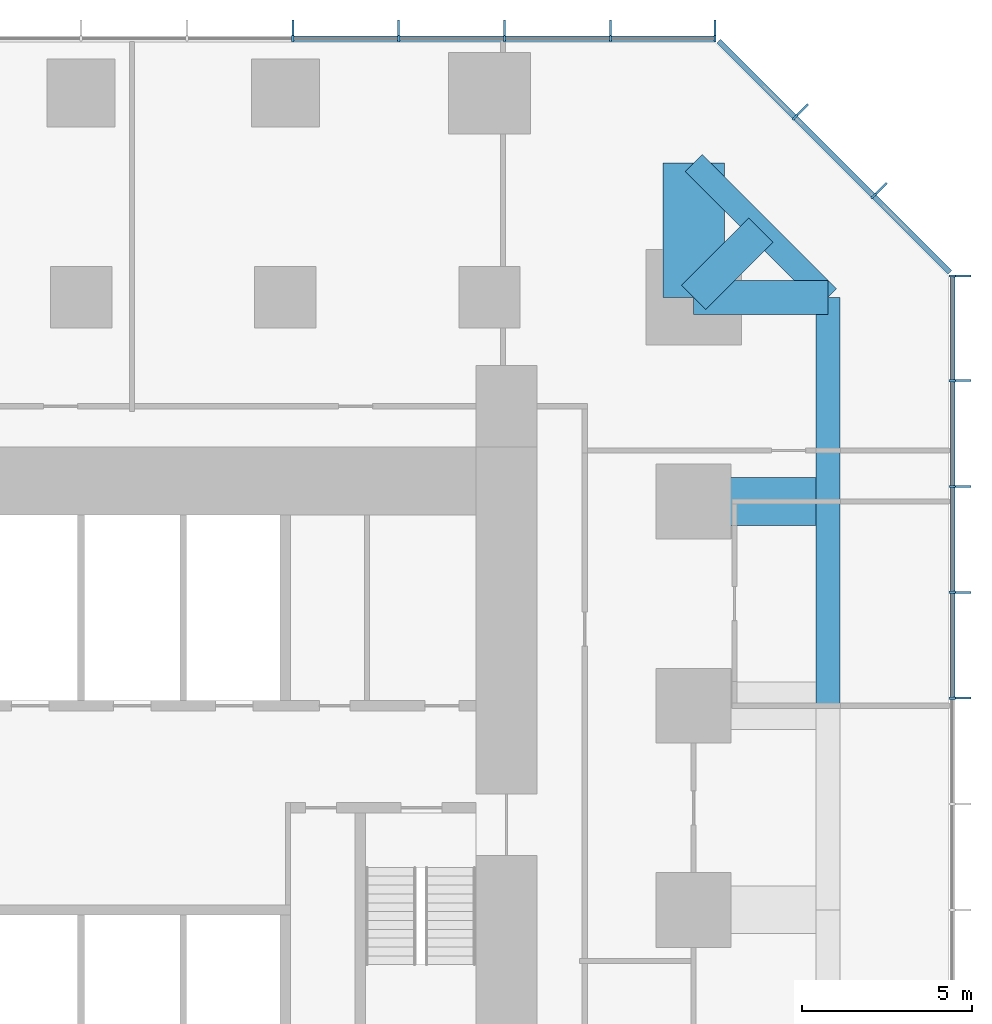
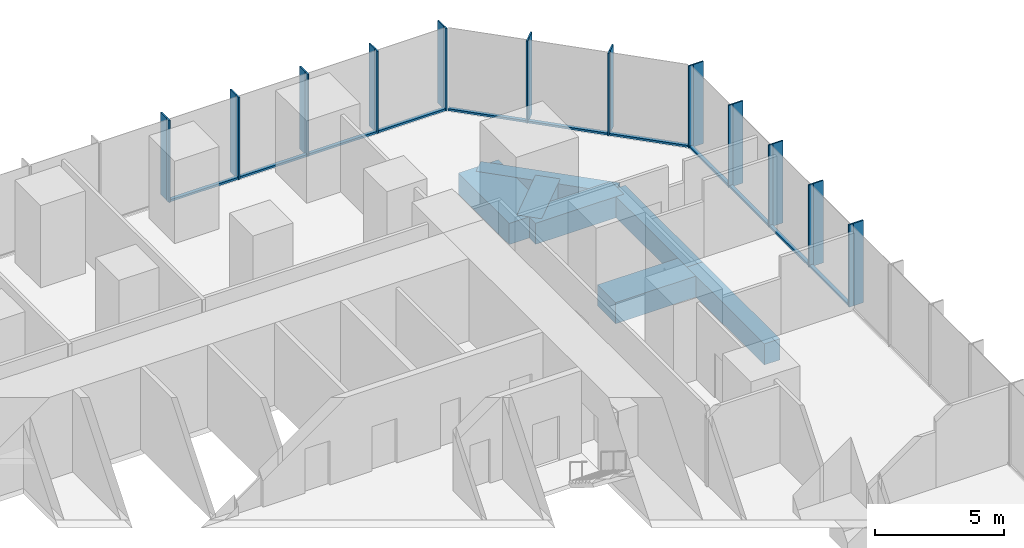
# One storey, part 6 of 12: 35 members, 7 beams, 3 elements without a shape of their own.
"""IFC4 building model written with IfcOpenShell, lengths in metres."""

from ifc_helpers import new_model, si_unit, direction, frame, origin, origin_2d, place, context, subcontext, project, spatial, rectangle, extrude, material, layer, layer_set, material_profile, profile_set, type_object, element, aggregate, save


model = new_model("IFC4")

# Units and contexts
model_context = context("Model", 3, precision=1e-05, world=origin(), true_north=direction((0.0, 1.0)))
body_context = subcontext(model_context, "Body", "Model", "MODEL_VIEW")
ifc_project = project(units=[si_unit("LENGTHUNIT", "METRE"), si_unit("AREAUNIT", "SQUARE_METRE"), si_unit("VOLUMEUNIT", "CUBIC_METRE"), si_unit("PLANEANGLEUNIT", "RADIAN"), si_unit("MASSUNIT", "GRAM", prefix="KILO")], contexts=[model_context])

# Site, building, storey
site_placement = place(None, origin())
site = spatial("IfcSite", under=ifc_project, at=site_placement, CompositionType="ELEMENT")
building_placement = place(site_placement, origin())
building = spatial("IfcBuilding", under=site, at=building_placement, Name="Highveld Stack Headquarters", CompositionType="ELEMENT")
storey_placement = place(building_placement, frame((0.0, 0.0, 49.39990234375)))
storey = spatial("IfcBuildingStorey", under=building, at=storey_placement, Name="L11", CompositionType="ELEMENT", Elevation=49.39990234375)

# Beams
ifc_material_1 = material(Name="Concrete C60/75", Category="concrete")
ifc_material_profile_1 = material_profile(ifc_material_1, rectangle(XDim=1.0, YDim=1.0, at=origin_2d()), Name="RC 1000x1000")
ifc_profile_set_1 = profile_set([ifc_material_profile_1], Name="Concrete C60/75")
beam_type_1 = type_object("IfcBeamType", Name="CANTILEVER RIB RC 1000x1000", PredefinedType="USERDEFINED", material=ifc_profile_set_1)
beam_1_placement = place(storey_placement, frame((24.0, 18.0, -0.75), z_axis=(1.0, 0.0, 0.0), x_axis=(0.0, 1.0, 0.0)))
element("IfcBeam", 1, at=beam_1_placement, inside=storey, type_object=beam_type_1, Name="Cantilever rib 10/H L11", ObjectType="CANTILEVER RIB", PredefinedType="USERDEFINED", context=body_context, shape_type="SweptSolid", body=[
    extrude(rectangle(XDim=1.0, YDim=1.0, at=origin_2d()), origin(), (0.0, 0.0, 1.0), 3.949951171875),
])
beam_2_placement = place(storey_placement, frame((24.0, 18.0, -0.75), z_axis=(0.707106781187, 0.707106781187, 0.0), x_axis=(-0.707106781187, 0.707106781187, 0.0)))
element("IfcBeam", 2, at=beam_2_placement, inside=storey, type_object=beam_type_1, Name="Cantilever rib 10/H L11", ObjectType="CANTILEVER RIB", PredefinedType="USERDEFINED", context=body_context, shape_type="SweptSolid", body=[
    extrude(rectangle(XDim=1.0, YDim=1.0, at=origin_2d()), origin(), (0.0, 0.0, 1.0), 2.793212890625),
])
ifc_material_2 = material(Name="Concrete C60/75", Category="concrete")
ifc_material_profile_2 = material_profile(ifc_material_2, rectangle(XDim=1.39990234375, YDim=1.0, at=origin_2d()), Name="RC 1400x1000")
ifc_profile_set_2 = profile_set([ifc_material_profile_2], Name="Concrete C60/75")
beam_type_2 = type_object("IfcBeamType", Name="CANTILEVER RIB RC 1400x1000", PredefinedType="USERDEFINED", material=ifc_profile_set_2)
beam_3_placement = place(storey_placement, frame((24.0, 12.0, -0.75), z_axis=(1.0, 0.0, 0.0), x_axis=(0.0, 1.0, 0.0)))
element("IfcBeam", 3, at=beam_3_placement, inside=storey, type_object=beam_type_2, Name="Cantilever rib 10/G L11", ObjectType="CANTILEVER RIB", PredefinedType="USERDEFINED", context=body_context, shape_type="SweptSolid", body=[
    extrude(rectangle(XDim=1.39990234375, YDim=1.0, at=origin_2d()), origin(), (0.0, 0.0, 1.0), 3.949951171875),
])
ifc_material_3 = material(Name="Concrete C60/75", Category="concrete")
ifc_material_profile_3 = material_profile(ifc_material_3, rectangle(XDim=1.800048828125, YDim=1.0, at=origin_2d()), Name="RC 1800x1000")
ifc_profile_set_3 = profile_set([ifc_material_profile_3], Name="Concrete C60/75")
beam_type_3 = type_object("IfcBeamType", Name="CANTILEVER RIB RC 1800x1000", PredefinedType="USERDEFINED", material=ifc_profile_set_3)
beam_4_placement = place(storey_placement, frame((24.0, 18.0, -0.75), z_axis=(0.0, 1.0, 0.0), x_axis=(-1.0, 0.0, 0.0)))
element("IfcBeam", 4, at=beam_4_placement, inside=storey, type_object=beam_type_3, Name="Cantilever rib 10/H L11", ObjectType="CANTILEVER RIB", PredefinedType="USERDEFINED", context=body_context, shape_type="SweptSolid", body=[
    extrude(rectangle(XDim=1.800048828125, YDim=1.0, at=origin_2d()), origin(), (0.0, 0.0, 1.0), 3.949951171875),
])

# Curtain wall, members
ifc_material_4 = material(Name="Aluminium bronze anodised", Category="aluminium")
ifc_layer_1 = layer(ifc_material_4, 0.199951171875)
ifc_layer_set_1 = layer_set([ifc_layer_1], Name="Aluminium bronze anodised")
curtain_wall_type_1 = type_object("IfcCurtainWallType", Name="CW1 TOWER UNITISED CURTAIN WALL", PredefinedType="NOTDEFINED", material=ifc_layer_set_1)
curtain_wall_1_placement = place(storey_placement, origin())
curtain_wall_1 = element("IfcCurtainWall", 5, at=curtain_wall_1_placement, inside=storey, type_object=curtain_wall_type_1, Name="Curtain wall CW1 L11 E", PredefinedType="NOTDEFINED")
ifc_material_5 = material(Name="Aluminium bronze anodised", Category="aluminium")
ifc_material_profile_4 = material_profile(ifc_material_5, rectangle(XDim=0.449951171875, YDim=0.06005859375, at=origin_2d()), Name="FIN 450x60")
ifc_profile_set_4 = profile_set([ifc_material_profile_4], Name="Aluminium bronze anodised")
member_type_1 = type_object("IfcMemberType", Name="CW1 BRONZE FIN 450x60", PredefinedType="USERDEFINED", material=ifc_profile_set_4)
member_1_placement = place(storey_placement, frame((31.925048828125, 6.220947265625, 0.0), z_axis=(0.0, 0.0, 1.0), x_axis=(-1.0, 0.0, 0.0)))
member_1 = element("IfcMember", 6, at=member_1_placement, type_object=member_type_1, Name="CW1 fin L11 9", ObjectType="FIN", PredefinedType="USERDEFINED", context=body_context, shape_type="SweptSolid", body=[
    extrude(rectangle(XDim=0.449951171875, YDim=0.06005859375, at=origin_2d()), origin(), (0.0, 0.0, 1.0), 3.900146484375),
])
member_2_placement = place(storey_placement, frame((31.925048828125, 9.331298828125, 0.0), z_axis=(0.0, 0.0, 1.0), x_axis=(-1.0, 0.0, 0.0)))
member_2 = element("IfcMember", 7, at=member_2_placement, type_object=member_type_1, Name="CW1 fin L11 10", ObjectType="FIN", PredefinedType="USERDEFINED", context=body_context, shape_type="SweptSolid", body=[
    extrude(rectangle(XDim=0.449951171875, YDim=0.06005859375, at=origin_2d()), origin(), (0.0, 0.0, 1.0), 3.900146484375),
])
member_3_placement = place(storey_placement, frame((31.925048828125, 12.44189453125, 0.0), z_axis=(0.0, 0.0, 1.0), x_axis=(-1.0, 0.0, 0.0)))
member_3 = element("IfcMember", 8, at=member_3_placement, type_object=member_type_1, Name="CW1 fin L11 11", ObjectType="FIN", PredefinedType="USERDEFINED", context=body_context, shape_type="SweptSolid", body=[
    extrude(rectangle(XDim=0.449951171875, YDim=0.06005859375, at=origin_2d()), origin(), (0.0, 0.0, 1.0), 3.900146484375),
])
member_4_placement = place(storey_placement, frame((31.925048828125, 15.55224609375, 0.0), z_axis=(0.0, 0.0, 1.0), x_axis=(-1.0, 0.0, 0.0)))
member_4 = element("IfcMember", 9, at=member_4_placement, type_object=member_type_1, Name="CW1 fin L11 12", ObjectType="FIN", PredefinedType="USERDEFINED", context=body_context, shape_type="SweptSolid", body=[
    extrude(rectangle(XDim=0.449951171875, YDim=0.06005859375, at=origin_2d()), origin(), (0.0, 0.0, 1.0), 3.900146484375),
])
member_5_placement = place(storey_placement, frame((31.925048828125, 18.630126953125, 0.0), z_axis=(0.0, 0.0, 1.0), x_axis=(-1.0, 0.0, 0.0)))
member_5 = element("IfcMember", 10, at=member_5_placement, type_object=member_type_1, Name="CW1 fin L11 13", ObjectType="FIN", PredefinedType="USERDEFINED", context=body_context, shape_type="SweptSolid", body=[
    extrude(rectangle(XDim=0.449951171875, YDim=0.06005859375, at=origin_2d()), origin(), (0.0, 0.0, 1.0), 3.900146484375),
])

curtain_wall_2_placement = place(storey_placement, origin())
curtain_wall_2 = element("IfcCurtainWall", 11, at=curtain_wall_2_placement, inside=storey, type_object=curtain_wall_type_1, Name="Curtain wall CW1 L11 N", PredefinedType="NOTDEFINED")
member_6_placement = place(storey_placement, frame((24.630126953125, 25.925048828125, 0.0), z_axis=(0.0, 0.0, 1.0), x_axis=(0.0, -1.0, 0.0)))
member_6 = element("IfcMember", 12, at=member_6_placement, type_object=member_type_1, Name="CW1 fin L11 1", ObjectType="FIN", PredefinedType="USERDEFINED", context=body_context, shape_type="SweptSolid", body=[
    extrude(rectangle(XDim=0.449951171875, YDim=0.06005859375, at=origin_2d()), origin(), (0.0, 0.0, 1.0), 3.900146484375),
])
member_7_placement = place(storey_placement, frame((21.55224609375, 25.925048828125, 0.0), z_axis=(0.0, 0.0, 1.0), x_axis=(0.0, -1.0, 0.0)))
member_7 = element("IfcMember", 13, at=member_7_placement, type_object=member_type_1, Name="CW1 fin L11 2", ObjectType="FIN", PredefinedType="USERDEFINED", context=body_context, shape_type="SweptSolid", body=[
    extrude(rectangle(XDim=0.449951171875, YDim=0.06005859375, at=origin_2d()), origin(), (0.0, 0.0, 1.0), 3.900146484375),
])
member_8_placement = place(storey_placement, frame((18.44189453125, 25.925048828125, 0.0), z_axis=(0.0, 0.0, 1.0), x_axis=(0.0, -1.0, 0.0)))
member_8 = element("IfcMember", 14, at=member_8_placement, type_object=member_type_1, Name="CW1 fin L11 3", ObjectType="FIN", PredefinedType="USERDEFINED", context=body_context, shape_type="SweptSolid", body=[
    extrude(rectangle(XDim=0.449951171875, YDim=0.06005859375, at=origin_2d()), origin(), (0.0, 0.0, 1.0), 3.900146484375),
])
member_9_placement = place(storey_placement, frame((15.331298828125, 25.925048828125, 0.0), z_axis=(0.0, 0.0, 1.0), x_axis=(0.0, -1.0, 0.0)))
member_9 = element("IfcMember", 15, at=member_9_placement, type_object=member_type_1, Name="CW1 fin L11 4", ObjectType="FIN", PredefinedType="USERDEFINED", context=body_context, shape_type="SweptSolid", body=[
    extrude(rectangle(XDim=0.449951171875, YDim=0.06005859375, at=origin_2d()), origin(), (0.0, 0.0, 1.0), 3.900146484375),
])
member_10_placement = place(storey_placement, frame((12.220947265625, 25.925048828125, 0.0), z_axis=(0.0, 0.0, 1.0), x_axis=(0.0, -1.0, 0.0)))
member_10 = element("IfcMember", 16, at=member_10_placement, type_object=member_type_1, Name="CW1 fin L11 5", ObjectType="FIN", PredefinedType="USERDEFINED", context=body_context, shape_type="SweptSolid", body=[
    extrude(rectangle(XDim=0.449951171875, YDim=0.06005859375, at=origin_2d()), origin(), (0.0, 0.0, 1.0), 3.900146484375),
])

# Member
ifc_material_6 = material(Name="Aluminium bronze anodised", Category="aluminium")
ifc_material_profile_5 = material_profile(ifc_material_6, rectangle(XDim=0.199951171875, YDim=0.06494140625, at=origin_2d()), Name="CW1 MULLION 65x200")
ifc_profile_set_5 = profile_set([ifc_material_profile_5], Name="Aluminium bronze anodised")
member_type_2 = type_object("IfcMemberType", Name="CW1 MULLION 65x200", PredefinedType="MULLION", material=ifc_profile_set_5)
member_11_placement = place(storey_placement, frame((31.60009765625, 6.220947265625, 0.0), z_axis=(0.0, 0.0, 1.0), x_axis=(-1.0, 0.0, 0.0)))
member_11 = element("IfcMember", 17, at=member_11_placement, type_object=member_type_2, Name="CW1 mullion L11 9", PredefinedType="MULLION", context=body_context, shape_type="SweptSolid", body=[
    extrude(rectangle(XDim=0.199951171875, YDim=0.06494140625, at=origin_2d()), origin(), (0.0, 0.0, 1.0), 3.900146484375),
])

member_12_placement = place(storey_placement, frame((31.60009765625, 9.331298828125, 0.0), z_axis=(0.0, 0.0, 1.0), x_axis=(-1.0, 0.0, 0.0)))
member_12 = element("IfcMember", 18, at=member_12_placement, type_object=member_type_2, Name="CW1 mullion L11 10", PredefinedType="MULLION", context=body_context, shape_type="SweptSolid", body=[
    extrude(rectangle(XDim=0.199951171875, YDim=0.06494140625, at=origin_2d()), origin(), (0.0, 0.0, 1.0), 3.900146484375),
])

member_13_placement = place(storey_placement, frame((31.60009765625, 12.44189453125, 0.0), z_axis=(0.0, 0.0, 1.0), x_axis=(-1.0, 0.0, 0.0)))
member_13 = element("IfcMember", 19, at=member_13_placement, type_object=member_type_2, Name="CW1 mullion L11 11", PredefinedType="MULLION", context=body_context, shape_type="SweptSolid", body=[
    extrude(rectangle(XDim=0.199951171875, YDim=0.06494140625, at=origin_2d()), origin(), (0.0, 0.0, 1.0), 3.900146484375),
])

member_14_placement = place(storey_placement, frame((31.60009765625, 15.55224609375, 0.0), z_axis=(0.0, 0.0, 1.0), x_axis=(-1.0, 0.0, 0.0)))
member_14 = element("IfcMember", 20, at=member_14_placement, type_object=member_type_2, Name="CW1 mullion L11 12", PredefinedType="MULLION", context=body_context, shape_type="SweptSolid", body=[
    extrude(rectangle(XDim=0.199951171875, YDim=0.06494140625, at=origin_2d()), origin(), (0.0, 0.0, 1.0), 3.900146484375),
])

member_15_placement = place(storey_placement, frame((31.60009765625, 18.630126953125, 0.0), z_axis=(0.0, 0.0, 1.0), x_axis=(-1.0, 0.0, 0.0)))
member_15 = element("IfcMember", 21, at=member_15_placement, type_object=member_type_2, Name="CW1 mullion L11 13", PredefinedType="MULLION", context=body_context, shape_type="SweptSolid", body=[
    extrude(rectangle(XDim=0.199951171875, YDim=0.06494140625, at=origin_2d()), origin(), (0.0, 0.0, 1.0), 3.900146484375),
])

member_16_placement = place(storey_placement, frame((24.630126953125, 25.60009765625, 0.0), z_axis=(0.0, 0.0, 1.0), x_axis=(0.0, -1.0, 0.0)))
member_16 = element("IfcMember", 22, at=member_16_placement, type_object=member_type_2, Name="CW1 mullion L11 1", PredefinedType="MULLION", context=body_context, shape_type="SweptSolid", body=[
    extrude(rectangle(XDim=0.199951171875, YDim=0.06494140625, at=origin_2d()), origin(), (0.0, 0.0, 1.0), 3.900146484375),
])

member_17_placement = place(storey_placement, frame((21.55224609375, 25.60009765625, 0.0), z_axis=(0.0, 0.0, 1.0), x_axis=(0.0, -1.0, 0.0)))
member_17 = element("IfcMember", 23, at=member_17_placement, type_object=member_type_2, Name="CW1 mullion L11 2", PredefinedType="MULLION", context=body_context, shape_type="SweptSolid", body=[
    extrude(rectangle(XDim=0.199951171875, YDim=0.06494140625, at=origin_2d()), origin(), (0.0, 0.0, 1.0), 3.900146484375),
])

member_18_placement = place(storey_placement, frame((18.44189453125, 25.60009765625, 0.0), z_axis=(0.0, 0.0, 1.0), x_axis=(0.0, -1.0, 0.0)))
member_18 = element("IfcMember", 24, at=member_18_placement, type_object=member_type_2, Name="CW1 mullion L11 3", PredefinedType="MULLION", context=body_context, shape_type="SweptSolid", body=[
    extrude(rectangle(XDim=0.199951171875, YDim=0.06494140625, at=origin_2d()), origin(), (0.0, 0.0, 1.0), 3.900146484375),
])

member_19_placement = place(storey_placement, frame((15.331298828125, 25.60009765625, 0.0), z_axis=(0.0, 0.0, 1.0), x_axis=(0.0, -1.0, 0.0)))
member_19 = element("IfcMember", 25, at=member_19_placement, type_object=member_type_2, Name="CW1 mullion L11 4", PredefinedType="MULLION", context=body_context, shape_type="SweptSolid", body=[
    extrude(rectangle(XDim=0.199951171875, YDim=0.06494140625, at=origin_2d()), origin(), (0.0, 0.0, 1.0), 3.900146484375),
])

member_20_placement = place(storey_placement, frame((12.220947265625, 25.60009765625, 0.0), z_axis=(0.0, 0.0, 1.0), x_axis=(0.0, -1.0, 0.0)))
member_20 = element("IfcMember", 26, at=member_20_placement, type_object=member_type_2, Name="CW1 mullion L11 5", PredefinedType="MULLION", context=body_context, shape_type="SweptSolid", body=[
    extrude(rectangle(XDim=0.199951171875, YDim=0.06494140625, at=origin_2d()), origin(), (0.0, 0.0, 1.0), 3.900146484375),
])

ifc_material_7 = material(Name="Aluminium bronze anodised", Category="aluminium")
ifc_material_profile_6 = material_profile(ifc_material_7, rectangle(XDim=0.14990234375, YDim=0.10009765625, at=origin_2d()), Name="CW1 TRANSOM 150x100")
ifc_profile_set_6 = profile_set([ifc_material_profile_6], Name="Aluminium bronze anodised")
member_type_3 = type_object("IfcMemberType", Name="CW1 STACK TRANSOM 150x100", PredefinedType="USERDEFINED", material=ifc_profile_set_6)
member_21_placement = place(storey_placement, frame((31.60009765625, 6.25341796875, 0.050048828125), z_axis=(0.0, 1.0, 0.0), x_axis=(-1.0, 0.0, 0.0)))
member_21 = element("IfcMember", 27, at=member_21_placement, type_object=member_type_3, Name="CW1 transom L11 9.1", ObjectType="TRANSOM", PredefinedType="USERDEFINED", context=body_context, shape_type="SweptSolid", body=[
    extrude(rectangle(XDim=0.14990234375, YDim=0.10009765625, at=origin_2d()), origin(), (0.0, 0.0, 1.0), 3.04541015625),
])

member_22_placement = place(storey_placement, frame((31.60009765625, 9.36376953125, 0.050048828125), z_axis=(0.0, 1.0, 0.0), x_axis=(-1.0, 0.0, 0.0)))
member_22 = element("IfcMember", 28, at=member_22_placement, type_object=member_type_3, Name="CW1 transom L11 10.1", ObjectType="TRANSOM", PredefinedType="USERDEFINED", context=body_context, shape_type="SweptSolid", body=[
    extrude(rectangle(XDim=0.14990234375, YDim=0.10009765625, at=origin_2d()), origin(), (0.0, 0.0, 1.0), 3.04541015625),
])

member_23_placement = place(storey_placement, frame((31.60009765625, 12.474365234375, 0.050048828125), z_axis=(0.0, 1.0, 0.0), x_axis=(-1.0, 0.0, 0.0)))
member_23 = element("IfcMember", 29, at=member_23_placement, type_object=member_type_3, Name="CW1 transom L11 11.1", ObjectType="TRANSOM", PredefinedType="USERDEFINED", context=body_context, shape_type="SweptSolid", body=[
    extrude(rectangle(XDim=0.14990234375, YDim=0.10009765625, at=origin_2d()), origin(), (0.0, 0.0, 1.0), 3.04541015625),
])

member_24_placement = place(storey_placement, frame((31.60009765625, 15.584716796875, 0.050048828125), z_axis=(0.0, 1.0, 0.0), x_axis=(-1.0, 0.0, 0.0)))
member_24 = element("IfcMember", 30, at=member_24_placement, type_object=member_type_3, Name="CW1 transom L11 12.1", ObjectType="TRANSOM", PredefinedType="USERDEFINED", context=body_context, shape_type="SweptSolid", body=[
    extrude(rectangle(XDim=0.14990234375, YDim=0.10009765625, at=origin_2d()), origin(), (0.0, 0.0, 1.0), 3.012939453125),
])

aggregate(curtain_wall_1, [member_11, member_1, member_12, member_2, member_13, member_3, member_14, member_4, member_15, member_5, member_21, member_22, member_23, member_24])

member_25_placement = place(storey_placement, frame((24.59765625, 25.60009765625, 0.050048828125), z_axis=(-1.0, 0.0, 0.0), x_axis=(0.0, -1.0, 0.0)))
member_25 = element("IfcMember", 31, at=member_25_placement, type_object=member_type_3, Name="CW1 transom L11 1.1", ObjectType="TRANSOM", PredefinedType="USERDEFINED", context=body_context, shape_type="SweptSolid", body=[
    extrude(rectangle(XDim=0.14990234375, YDim=0.10009765625, at=origin_2d()), origin(), (0.0, 0.0, 1.0), 3.012939453125),
])

member_26_placement = place(storey_placement, frame((21.519775390625, 25.60009765625, 0.050048828125), z_axis=(-1.0, 0.0, 0.0), x_axis=(0.0, -1.0, 0.0)))
member_26 = element("IfcMember", 32, at=member_26_placement, type_object=member_type_3, Name="CW1 transom L11 2.1", ObjectType="TRANSOM", PredefinedType="USERDEFINED", context=body_context, shape_type="SweptSolid", body=[
    extrude(rectangle(XDim=0.14990234375, YDim=0.10009765625, at=origin_2d()), origin(), (0.0, 0.0, 1.0), 3.04541015625),
])

member_27_placement = place(storey_placement, frame((18.4091796875, 25.60009765625, 0.050048828125), z_axis=(-1.0, 0.0, 0.0), x_axis=(0.0, -1.0, 0.0)))
member_27 = element("IfcMember", 33, at=member_27_placement, type_object=member_type_3, Name="CW1 transom L11 3.1", ObjectType="TRANSOM", PredefinedType="USERDEFINED", context=body_context, shape_type="SweptSolid", body=[
    extrude(rectangle(XDim=0.14990234375, YDim=0.10009765625, at=origin_2d()), origin(), (0.0, 0.0, 1.0), 3.045166015625),
])

member_28_placement = place(storey_placement, frame((15.298828125, 25.60009765625, 0.050048828125), z_axis=(-1.0, 0.0, 0.0), x_axis=(0.0, -1.0, 0.0)))
member_28 = element("IfcMember", 34, at=member_28_placement, type_object=member_type_3, Name="CW1 transom L11 4.1", ObjectType="TRANSOM", PredefinedType="USERDEFINED", context=body_context, shape_type="SweptSolid", body=[
    extrude(rectangle(XDim=0.14990234375, YDim=0.10009765625, at=origin_2d()), origin(), (0.0, 0.0, 1.0), 3.04541015625),
])

aggregate(curtain_wall_2, [member_16, member_6, member_17, member_7, member_18, member_8, member_19, member_9, member_20, member_10, member_25, member_26, member_27, member_28])

# Curtain wall, members
ifc_material_8 = material(Name="Aluminium bronze anodised", Category="aluminium")
ifc_layer_2 = layer(ifc_material_8, 0.199951171875)
ifc_layer_set_2 = layer_set([ifc_layer_2], Name="Aluminium bronze anodised")
curtain_wall_type_2 = type_object("IfcCurtainWallType", Name="CW2 TOWER CHAMFER UNITISED CURTAIN WALL", PredefinedType="NOTDEFINED", material=ifc_layer_set_2)
curtain_wall_3_placement = place(storey_placement, origin())
curtain_wall_3 = element("IfcCurtainWall", 35, at=curtain_wall_3_placement, inside=storey, type_object=curtain_wall_type_2, Name="Curtain wall CW2 L11 NE", PredefinedType="NOTDEFINED")
ifc_material_9 = material(Name="Aluminium bronze anodised", Category="aluminium")
ifc_material_profile_7 = material_profile(ifc_material_9, rectangle(XDim=0.449951171875, YDim=0.06005859375, at=origin_2d()), Name="FIN 450x60")
ifc_profile_set_7 = profile_set([ifc_material_profile_7], Name="Aluminium bronze anodised")
member_type_4 = type_object("IfcMemberType", Name="CW2 BRONZE FIN 450x60", PredefinedType="USERDEFINED", material=ifc_profile_set_7)
member_29_placement = place(storey_placement, frame((29.517333984375, 21.204833984375, 0.0), z_axis=(0.0, 0.0, 1.0), x_axis=(-0.707106781187, -0.707106781187, 0.0)))
member_29 = element("IfcMember", 36, at=member_29_placement, type_object=member_type_4, Name="CW2 fin L11 1", ObjectType="FIN", PredefinedType="USERDEFINED", context=body_context, shape_type="SweptSolid", body=[
    extrude(rectangle(XDim=0.449951171875, YDim=0.06005859375, at=origin_2d()), origin(), (0.0, 0.0, 1.0), 3.900146484375),
])
member_30_placement = place(storey_placement, frame((27.204833984375, 23.517333984375, 0.0), z_axis=(0.0, 0.0, 1.0), x_axis=(-0.707106781187, -0.707106781187, 0.0)))
member_30 = element("IfcMember", 37, at=member_30_placement, type_object=member_type_4, Name="CW2 fin L11 2", ObjectType="FIN", PredefinedType="USERDEFINED", context=body_context, shape_type="SweptSolid", body=[
    extrude(rectangle(XDim=0.449951171875, YDim=0.06005859375, at=origin_2d()), origin(), (0.0, 0.0, 1.0), 3.900146484375),
])
ifc_material_10 = material(Name="Aluminium bronze anodised", Category="aluminium")
ifc_material_profile_8 = material_profile(ifc_material_10, rectangle(XDim=0.199951171875, YDim=0.06494140625, at=origin_2d()), Name="CW2 MULLION 65x200")
ifc_profile_set_8 = profile_set([ifc_material_profile_8], Name="Aluminium bronze anodised")
member_type_5 = type_object("IfcMemberType", Name="CW2 MULLION 65x200", PredefinedType="MULLION", material=ifc_profile_set_8)
member_31_placement = place(storey_placement, frame((29.28759765625, 20.97509765625, 0.0), z_axis=(0.0, 0.0, 1.0), x_axis=(-0.707106781187, -0.707106781187, 0.0)))
member_31 = element("IfcMember", 38, at=member_31_placement, type_object=member_type_5, Name="CW2 mullion L11 1", PredefinedType="MULLION", context=body_context, shape_type="SweptSolid", body=[
    extrude(rectangle(XDim=0.199951171875, YDim=0.06494140625, at=origin_2d()), origin(), (0.0, 0.0, 1.0), 3.900146484375),
])
member_32_placement = place(storey_placement, frame((26.97509765625, 23.28759765625, 0.0), z_axis=(0.0, 0.0, 1.0), x_axis=(-0.707106781187, -0.707106781187, 0.0)))
member_32 = element("IfcMember", 39, at=member_32_placement, type_object=member_type_5, Name="CW2 mullion L11 2", PredefinedType="MULLION", context=body_context, shape_type="SweptSolid", body=[
    extrude(rectangle(XDim=0.199951171875, YDim=0.06494140625, at=origin_2d()), origin(), (0.0, 0.0, 1.0), 3.900146484375),
])
ifc_material_11 = material(Name="Aluminium bronze anodised", Category="aluminium")
ifc_material_profile_9 = material_profile(ifc_material_11, rectangle(XDim=0.14990234375, YDim=0.10009765625, at=origin_2d()), Name="CW2 TRANSOM 150x100")
ifc_profile_set_9 = profile_set([ifc_material_profile_9], Name="Aluminium bronze anodised")
member_type_6 = type_object("IfcMemberType", Name="CW2 STACK TRANSOM 150x100", PredefinedType="USERDEFINED", material=ifc_profile_set_9)
member_33_placement = place(storey_placement, frame((31.529296875, 18.7333984375, 0.050048828125), z_axis=(-0.707106781187, 0.707106781187, 0.0), x_axis=(-0.707106781187, -0.707106781187, 0.0)))
member_33 = element("IfcMember", 40, at=member_33_placement, type_object=member_type_6, Name="CW2 transom L11 1.1", ObjectType="TRANSOM", PredefinedType="USERDEFINED", context=body_context, shape_type="SweptSolid", body=[
    extrude(rectangle(XDim=0.14990234375, YDim=0.10009765625, at=origin_2d()), origin(), (0.0, 0.0, 1.0), 3.1376953125),
])
member_34_placement = place(storey_placement, frame((29.2646484375, 20.998046875, 0.050048828125), z_axis=(-0.707106781187, 0.707106781187, 0.0), x_axis=(-0.707106781187, -0.707106781187, 0.0)))
member_34 = element("IfcMember", 41, at=member_34_placement, type_object=member_type_6, Name="CW2 transom L11 2.1", ObjectType="TRANSOM", PredefinedType="USERDEFINED", context=body_context, shape_type="SweptSolid", body=[
    extrude(rectangle(XDim=0.14990234375, YDim=0.10009765625, at=origin_2d()), origin(), (0.0, 0.0, 1.0), 3.20556640625),
])
member_35_placement = place(storey_placement, frame((26.9521484375, 23.310546875, 0.050048828125), z_axis=(-0.707106781187, 0.707106781187, 0.0), x_axis=(-0.707106781187, -0.707106781187, 0.0)))
member_35 = element("IfcMember", 42, at=member_35_placement, type_object=member_type_6, Name="CW2 transom L11 3.1", ObjectType="TRANSOM", PredefinedType="USERDEFINED", context=body_context, shape_type="SweptSolid", body=[
    extrude(rectangle(XDim=0.14990234375, YDim=0.10009765625, at=origin_2d()), origin(), (0.0, 0.0, 1.0), 3.1376953125),
])
aggregate(curtain_wall_3, [member_31, member_29, member_32, member_30, member_33, member_34, member_35])

# Beams
ifc_material_12 = material(Name="Concrete C60/75", Category="concrete")
ifc_material_profile_10 = material_profile(ifc_material_12, rectangle(XDim=0.699951171875, YDim=1.0, at=origin_2d()), Name="RC 700x1000")
ifc_profile_set_10 = profile_set([ifc_material_profile_10], Name="Concrete C60/75")
beam_type_4 = type_object("IfcBeamType", Name="RIB TIP BEAM RC 700x1000", PredefinedType="SPANDREL", material=ifc_profile_set_10)
for number, where, z_axis, x_axis, name in (
    (43, (27.949951171875, 6.0, -0.75), (0.0, 1.0, 0.0), (-1.0, 0.0, 0.0), "Rib tip beam 10/F to 10/G L11"),
    (44, (27.949951171875, 12.0, -0.75), (0.0, 1.0, 0.0), (-1.0, 0.0, 0.0), "Rib tip beam 10/G to 10/H L11"),
):
    element("IfcBeam", number, at=place(storey_placement, frame(where, z_axis=z_axis, x_axis=x_axis)), inside=storey, type_object=beam_type_4, Name=name, PredefinedType="SPANDREL", context=body_context, shape_type="SweptSolid", body=[
        extrude(rectangle(XDim=0.699951171875, YDim=1.0, at=origin_2d()), origin(), (0.0, 0.0, 1.0), 6.0),
    ])
beam_5_placement = place(storey_placement, frame((27.949951171875, 18.0, -0.75), z_axis=(-0.707106781187, 0.707106781187, 0.0), x_axis=(-0.707106781187, -0.707106781187, 0.0)))
element("IfcBeam", 45, at=beam_5_placement, inside=storey, type_object=beam_type_4, Name="Rib tip beam 10/H corner L11", PredefinedType="SPANDREL", context=body_context, shape_type="SweptSolid", body=[
    extrude(rectangle(XDim=0.699951171875, YDim=1.0, at=origin_2d()), origin(), (0.0, 0.0, 1.0), 5.586181640625),
])

save(model, "model.ifc")
